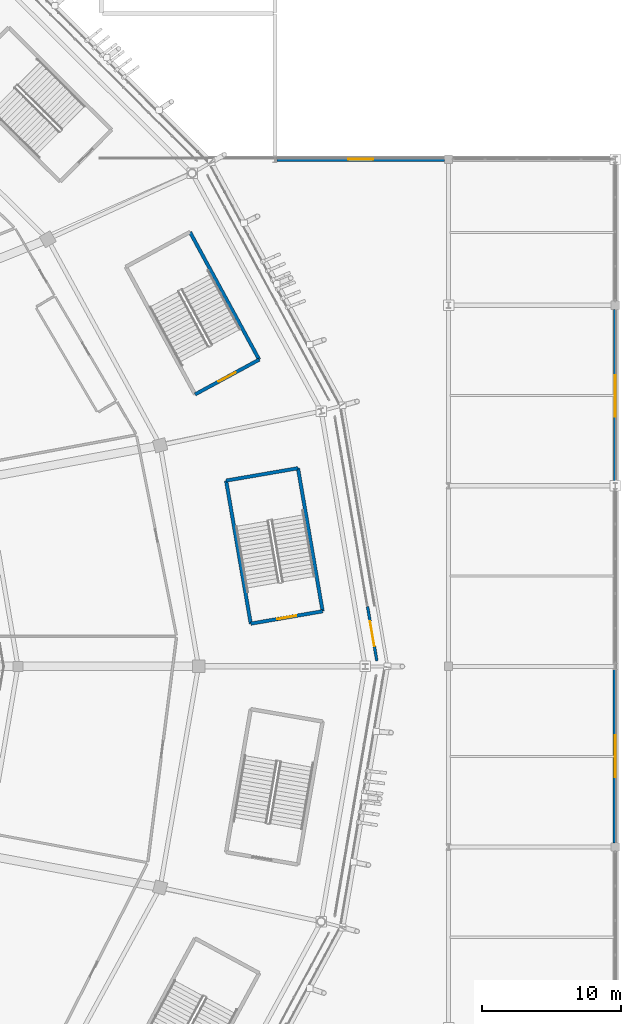
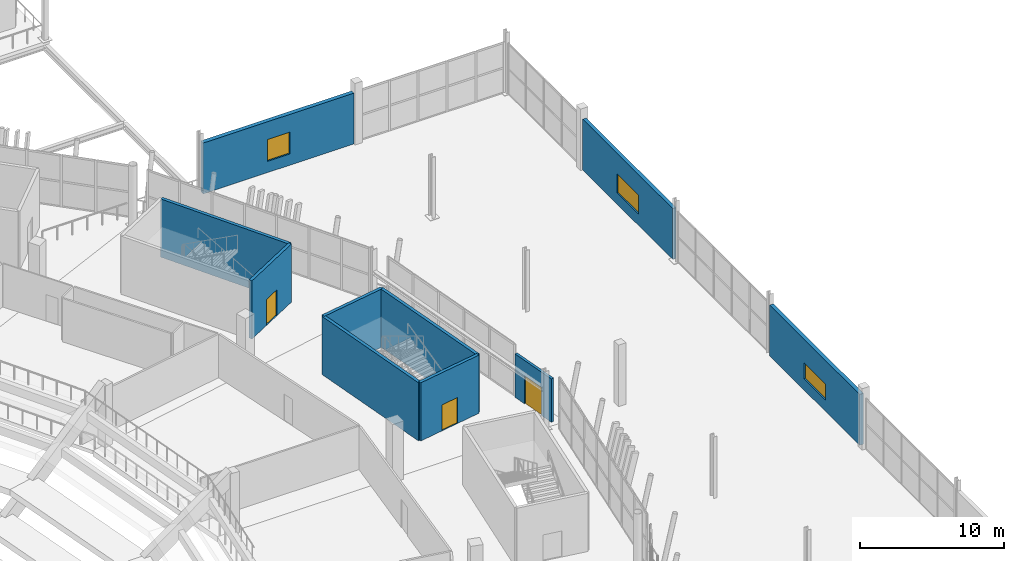
# One storey, part 129 of 178: 10 walls, 3 doors, 3 windows, 6 openings.
"""IFC4 building model written with IfcOpenShell, lengths in metres."""

from ifc_helpers import new_model, si_unit, direction, frame, frame_2d, origin, place, context, subcontext, project, spatial, rectangle, extrude, material, layer, layer_set, type_object, element, fill, save


model = new_model("IFC4")

# Units and contexts
model_context = context("Model", 3, precision=1e-05, world=origin(), true_north=direction((0.0, 1.0)))
body_context = subcontext(model_context, "Body", "Model", "MODEL_VIEW")
ifc_project = project(units=[si_unit("LENGTHUNIT", "METRE"), si_unit("AREAUNIT", "SQUARE_METRE"), si_unit("VOLUMEUNIT", "CUBIC_METRE"), si_unit("PLANEANGLEUNIT", "RADIAN"), si_unit("MASSUNIT", "GRAM", prefix="KILO")], contexts=[model_context])

# Site, building, storey
site_placement = place(None, origin())
site = spatial("IfcSite", under=ifc_project, at=site_placement, CompositionType="ELEMENT")
building_placement = place(site_placement, origin())
building = spatial("IfcBuilding", under=site, at=building_placement, Name="Zlatoyarsky Gate Stadium", CompositionType="ELEMENT")
storey_placement = place(building_placement, frame((0.0, 0.0, 5.39990234375)))
storey = spatial("IfcBuildingStorey", under=building, at=storey_placement, Name="L01", CompositionType="ELEMENT", Elevation=5.39990234375)

# Wall, opening, door
ifc_material_1 = material(Name="Gypsum-clad mineral wool fire partition", Category="gypsum")
ifc_layer_1 = layer(ifc_material_1, 0.199951171875)
ifc_layer_set_1 = layer_set([ifc_layer_1], Name="Gypsum-clad mineral wool fire partition")
wall_type_1 = type_object("IfcWallType", Name="COMPARTMENT FIRE PARTITION WALL 200", PredefinedType="PARTITIONING", material=ifc_layer_set_1)
wall_1_placement = place(storey_placement, frame((204.83984375, 80.399169921875, 0.0), z_axis=(0.0, 0.0, 1.0), x_axis=(-0.169425836606, 0.985542939648, 0.0)))
wall_1 = element("IfcWall", 1, at=wall_1_placement, inside=storey, type_object=wall_type_1, Name="L01 interior partition PRT-PORTAL-L01-00", PredefinedType="PARTITIONING", context=body_context, shape_type="SweptSolid", body=[
    extrude(rectangle(XDim=3.959716796875, YDim=0.199951171875, at=frame_2d((1.97998046875, 0.0))), origin(), (0.0, 0.0, 1.0), 3.670166015625),
])
opening_1_placement = place(wall_1_placement, frame((1.06982421875, 0.0, 0.0)))
opening_1 = element("IfcOpeningElement", 2, at=opening_1_placement, cuts=wall_1, Name="Opening D-L01-709", PredefinedType="OPENING", context=body_context, shape_type="SweptSolid", body=[
    extrude(rectangle(XDim=1.820068359375, YDim=2.3798828125, at=frame_2d((0.91015625, 1.18994140625))), frame((0.0, 0.10986328125, 0.0), z_axis=(0.0, -1.0, 0.0), x_axis=(1.0, 0.0, 0.0)), (0.0, 0.0, 1.0), 0.219970703125),
])
ifc_material_2 = material(Name="Powder-coated steel fire door", Category="steel")
door_type_1 = type_object("IfcDoorType", Name="ACOUSTIC INTERIOR DOOR 1820X2380", OperationType="NOTDEFINED", PredefinedType="DOOR", material=ifc_material_2)
door_1_placement = place(opening_1_placement, origin())
door_1 = element("IfcDoor", 3, at=door_1_placement, inside=storey, type_object=door_type_1, Name="L01 room door D-L01-709", OperationType="SINGLE_SWING_LEFT", OverallHeight=2.3798828125, OverallWidth=1.820068359375, PredefinedType="DOOR", context=body_context, shape_type="SweptSolid", body=[
    extrude(rectangle(XDim=1.820068359375, YDim=2.3798828125, at=frame_2d((0.91015625, 1.18994140625))), frame((0.0, 0.02490234375, 0.0), z_axis=(0.0, -1.0, 0.0), x_axis=(1.0, 0.0, 0.0)), (0.0, 0.0, 1.0), 0.050048828125),
])
fill(opening_1, door_1)

ifc_material_3 = material(Name="Concrete C40/50", Category="concrete")
ifc_layer_2 = layer(ifc_material_3, 0.25)
ifc_layer_set_2 = layer_set([ifc_layer_2], Name="Concrete C40/50")
wall_type_2 = type_object("IfcWallType", Name="CONCRETE STAIR CORE SHEAR WALL 250", PredefinedType="SHEAR", material=ifc_layer_set_2)
wall_2_placement = place(storey_placement, frame((195.762451171875, 83.07666015625, 0.0), z_axis=(0.0, 0.0, 1.0), x_axis=(0.985457162135, 0.16992404655, 0.0)))
wall_2 = element("IfcWall", 4, at=wall_2_placement, inside=storey, type_object=wall_type_2, Name="ST-01 L01 stair core entrance shear wall", PredefinedType="SHEAR", context=body_context, shape_type="SweptSolid", body=[
    extrude(rectangle(XDim=5.25, YDim=0.25, at=frame_2d((2.625, 0.0))), origin(), (0.0, 0.0, 1.0), 4.920166015625),
])
opening_2_placement = place(wall_2_placement, frame((1.925048828125, 0.0, 0.0)))
opening_2 = element("IfcOpeningElement", 5, at=opening_2_placement, cuts=wall_2, Name="Opening SD-ST-01-L01", PredefinedType="OPENING", context=body_context, shape_type="SweptSolid", body=[
    extrude(rectangle(XDim=1.39990234375, YDim=2.199951171875, at=frame_2d((0.699951171875, 1.10009765625))), frame((0.0, 0.135009765625, 0.0), z_axis=(0.0, -1.0, 0.0), x_axis=(1.0, 0.0, 0.0)), (0.0, 0.0, 1.0), 0.27001953125),
])
door_type_2 = type_object("IfcDoorType", Name="STAIR CORE FIRE EXIT DOOR 1400X2200", OperationType="NOTDEFINED", PredefinedType="DOOR", material=ifc_material_2)
door_2_placement = place(opening_2_placement, frame((1.39990234375, 0.0, 0.0), z_axis=(0.0, 0.0, 1.0), x_axis=(-1.0, 0.0, 0.0)))
door_2 = element("IfcDoor", 6, at=door_2_placement, inside=storey, type_object=door_type_2, Name="ST-01 L01 stair fire door", OperationType="SINGLE_SWING_LEFT", OverallHeight=2.199951171875, OverallWidth=1.39990234375, PredefinedType="DOOR", context=body_context, shape_type="SweptSolid", body=[
    extrude(rectangle(XDim=1.39990234375, YDim=2.199951171875, at=frame_2d((0.699951171875, 1.10009765625))), frame((0.0, 0.02490234375, 0.0), z_axis=(0.0, -1.0, 0.0), x_axis=(1.0, 0.0, 0.0)), (0.0, 0.0, 1.0), 0.050048828125),
])
fill(opening_2, door_2)

# Walls
wall_3_placement = place(storey_placement, frame((200.93603515625, 83.96875, 0.0), z_axis=(0.0, 0.0, 1.0), x_axis=(-0.169938992676, 0.985454584833, 0.0)))
element("IfcWall", 7, at=wall_3_placement, inside=storey, type_object=wall_type_2, Name="ST-01 L01 stair core left shear wall", PredefinedType="SHEAR", context=body_context, shape_type="SweptSolid", body=[
    extrude(rectangle(XDim=10.4501953125, YDim=0.25, at=frame_2d((5.22509765625, 0.0))), origin(), (0.0, 0.0, 1.0), 4.920166015625),
])
wall_4_placement = place(storey_placement, frame((199.16015625, 94.266845703125, 0.0), z_axis=(0.0, 0.0, 1.0), x_axis=(-0.985457162135, -0.16992404655, 0.0)))
element("IfcWall", 8, at=wall_4_placement, inside=storey, type_object=wall_type_2, Name="ST-01 L01 stair core far shear wall", PredefinedType="SHEAR", context=body_context, shape_type="SweptSolid", body=[
    extrude(rectangle(XDim=5.25, YDim=0.25, at=frame_2d((2.625, 0.0))), origin(), (0.0, 0.0, 1.0), 4.920166015625),
])
wall_5_placement = place(storey_placement, frame((193.986572265625, 93.374755859375, 0.0), z_axis=(0.0, 0.0, 1.0), x_axis=(0.169938992676, -0.985454584833, 0.0)))
element("IfcWall", 9, at=wall_5_placement, inside=storey, type_object=wall_type_2, Name="ST-01 L01 stair core right shear wall", PredefinedType="SHEAR", context=body_context, shape_type="SweptSolid", body=[
    extrude(rectangle(XDim=10.4501953125, YDim=0.25, at=frame_2d((5.22509765625, 0.0))), origin(), (0.0, 0.0, 1.0), 4.920166015625),
])

# Wall, opening, door
wall_6_placement = place(storey_placement, frame((191.753662109375, 99.579833984375, 0.0), z_axis=(0.0, 0.0, 1.0), x_axis=(0.878961487093, 0.47689275965, 0.0)))
wall_6 = element("IfcWall", 10, at=wall_6_placement, inside=storey, type_object=wall_type_2, Name="ST-13 L01 stair core entrance shear wall", PredefinedType="SHEAR", context=body_context, shape_type="SweptSolid", body=[
    extrude(rectangle(XDim=5.25, YDim=0.25, at=frame_2d((2.625, 0.0))), origin(), (0.0, 0.0, 1.0), 4.920166015625),
])
opening_3_placement = place(wall_6_placement, frame((1.925048828125, 0.0, 0.0)))
opening_3 = element("IfcOpeningElement", 11, at=opening_3_placement, cuts=wall_6, Name="Opening SD-ST-13-L01", PredefinedType="OPENING", context=body_context, shape_type="SweptSolid", body=[
    extrude(rectangle(XDim=1.39990234375, YDim=2.199951171875, at=frame_2d((0.699951171875, 1.10009765625))), frame((0.0, 0.135009765625, 0.0), z_axis=(0.0, -1.0, 0.0), x_axis=(1.0, 0.0, 0.0)), (0.0, 0.0, 1.0), 0.27001953125),
])
door_3_placement = place(opening_3_placement, frame((1.39990234375, 0.0, 0.0), z_axis=(0.0, 0.0, 1.0), x_axis=(-1.0, 0.0, 0.0)))
door_3 = element("IfcDoor", 12, at=door_3_placement, inside=storey, type_object=door_type_2, Name="ST-13 L01 stair fire door", OperationType="SINGLE_SWING_LEFT", OverallHeight=2.199951171875, OverallWidth=1.39990234375, PredefinedType="DOOR", context=body_context, shape_type="SweptSolid", body=[
    extrude(rectangle(XDim=1.39990234375, YDim=2.199951171875, at=frame_2d((0.699951171875, 1.10009765625))), frame((0.0, 0.02490234375, 0.0), z_axis=(0.0, -1.0, 0.0), x_axis=(1.0, 0.0, 0.0)), (0.0, 0.0, 1.0), 0.050048828125),
])
fill(opening_3, door_3)

# Wall
wall_7_placement = place(storey_placement, frame((196.3681640625, 102.08349609375, 0.0), z_axis=(0.0, 0.0, 1.0), x_axis=(-0.476876856974, 0.878970115125, 0.0)))
element("IfcWall", 13, at=wall_7_placement, inside=storey, type_object=wall_type_2, Name="ST-13 L01 stair core left shear wall", PredefinedType="SHEAR", context=body_context, shape_type="SweptSolid", body=[
    extrude(rectangle(XDim=10.4501953125, YDim=0.25, at=frame_2d((5.22509765625, 0.0))), origin(), (0.0, 0.0, 1.0), 4.920166015625),
])

# Wall, opening, window
ifc_material_4 = material(Name="Limestone-faced insulated masonry wall", Category="masonry")
ifc_layer_3 = layer(ifc_material_4, 0.300048828125)
ifc_layer_set_3 = layer_set([ifc_layer_3], Name="Limestone-faced insulated masonry wall")
wall_type_3 = type_object("IfcWallType", Name="INSULATED PAVILION FACADE WALL 300", PredefinedType="STANDARD", material=ifc_layer_set_3)
wall_8_placement = place(storey_placement, frame((222.0, 67.297119140625, 0.0), z_axis=(0.0, 0.0, 1.0), x_axis=(0.0, 1.0, 0.0)))
wall_8 = element("IfcWall", 14, at=wall_8_placement, inside=storey, type_object=wall_type_3, Name="V5_EAST L01 E_LO exterior wall", PredefinedType="STANDARD", context=body_context, shape_type="SweptSolid", body=[
    extrude(rectangle(XDim=12.48095703125, YDim=0.300048828125, at=frame_2d((6.240478515625, 0.0))), origin(), (0.0, 0.0, 1.0), 4.300048828125),
])
opening_4_placement = place(wall_8_placement, frame((4.740478515625, 0.0, 0.949951171875)))
opening_4 = element("IfcOpeningElement", 15, at=opening_4_placement, cuts=wall_8, Name="Opening WN-25", PredefinedType="OPENING", context=body_context, shape_type="SweptSolid", body=[
    extrude(rectangle(XDim=3.0, YDim=1.35009765625, at=frame_2d((1.5, 0.675048828125))), frame((0.0, 0.159912109375, 0.0), z_axis=(0.0, -1.0, 0.0), x_axis=(1.0, 0.0, 0.0)), (0.0, 0.0, 1.0), 0.320068359375),
])
ifc_material_5 = material(Name="Triple-glazed thermally broken aluminium window", Category="aluminium")
window_type_1 = type_object("IfcWindowType", Name="TRIPLE GLAZED ALUMINIUM WINDOW 3000X1350", PartitioningType="SINGLE_PANEL", PredefinedType="WINDOW", material=ifc_material_5)
window_1_placement = place(opening_4_placement, origin())
window_1 = element("IfcWindow", 16, at=window_1_placement, inside=storey, type_object=window_type_1, Name="Exterior window WIN-L01-053", OverallHeight=1.35009765625, OverallWidth=3.0, PartitioningType="SINGLE_PANEL", PredefinedType="WINDOW", context=body_context, shape_type="SweptSolid", body=[
    extrude(rectangle(XDim=3.0, YDim=1.35009765625, at=frame_2d((1.5, 0.675048828125))), frame((0.0, 0.030029296875, 0.0), z_axis=(0.0, -1.0, 0.0), x_axis=(1.0, 0.0, 0.0)), (0.0, 0.0, 1.0), 0.06005859375),
])
fill(opening_4, window_1)

ifc_material_6 = material(Name="Precast concrete C40/50 architectural panel", Category="concrete")
ifc_layer_4 = layer(ifc_material_6, 0.280029296875)
ifc_layer_set_4 = layer_set([ifc_layer_4], Name="Precast concrete C40/50 architectural panel")
wall_type_4 = type_object("IfcWallType", Name="INSULATED WING SPANDREL WALL 280", PredefinedType="STANDARD", material=ifc_layer_set_4)
wall_9_placement = place(storey_placement, frame((222.0, 93.221923828125, 0.0), z_axis=(0.0, 0.0, 1.0), x_axis=(0.0, 1.0, 0.0)))
wall_9 = element("IfcWall", 17, at=wall_9_placement, inside=storey, type_object=wall_type_4, Name="V5_EAST L01 E_LO exterior wall", PredefinedType="STANDARD", context=body_context, shape_type="SweptSolid", body=[
    extrude(rectangle(XDim=12.48095703125, YDim=0.280029296875, at=frame_2d((6.240478515625, 0.0))), origin(), (0.0, 0.0, 1.0), 4.300048828125),
])
opening_5_placement = place(wall_9_placement, frame((4.740478515625, 0.0, 0.949951171875)))
opening_5 = element("IfcOpeningElement", 18, at=opening_5_placement, cuts=wall_9, Name="Opening WN-26", PredefinedType="OPENING", context=body_context, shape_type="SweptSolid", body=[
    extrude(rectangle(XDim=3.0, YDim=1.60009765625, at=frame_2d((1.5, 0.800048828125))), frame((0.0, 0.14990234375, 0.0), z_axis=(0.0, -1.0, 0.0), x_axis=(1.0, 0.0, 0.0)), (0.0, 0.0, 1.0), 0.300048828125),
])
window_type_2 = type_object("IfcWindowType", Name="TRIPLE GLAZED ALUMINIUM WINDOW 3000X1600", PartitioningType="SINGLE_PANEL", PredefinedType="WINDOW", material=ifc_material_5)
window_2_placement = place(opening_5_placement, origin())
window_2 = element("IfcWindow", 19, at=window_2_placement, inside=storey, type_object=window_type_2, Name="Exterior window WIN-L01-054", OverallHeight=1.60009765625, OverallWidth=3.0, PartitioningType="SINGLE_PANEL", PredefinedType="WINDOW", context=body_context, shape_type="SweptSolid", body=[
    extrude(rectangle(XDim=3.0, YDim=1.60009765625, at=frame_2d((1.5, 0.800048828125))), frame((0.0, 0.030029296875, 0.0), z_axis=(0.0, -1.0, 0.0), x_axis=(1.0, 0.0, 0.0)), (0.0, 0.0, 1.0), 0.06005859375),
])
fill(opening_5, window_2)

ifc_layer_5 = layer(ifc_material_6, 0.320068359375)
ifc_layer_set_5 = layer_set([ifc_layer_5], Name="Precast concrete C40/50 architectural panel")
wall_type_5 = type_object("IfcWallType", Name="PRECAST TERRACOTTA FACADE WALL 320", PredefinedType="STANDARD", material=ifc_layer_set_5)
wall_10_placement = place(storey_placement, frame((197.64697265625, 116.5, 0.0), z_axis=(0.0, 0.0, 1.0), x_axis=(1.0, 0.0, 0.0)))
wall_10 = element("IfcWall", 20, at=wall_10_placement, inside=storey, type_object=wall_type_5, Name="V5_EAST L01 N exterior wall", PredefinedType="STANDARD", context=body_context, shape_type="SweptSolid", body=[
    extrude(rectangle(XDim=12.055908203125, YDim=0.320068359375, at=frame_2d((6.02783203125, 0.0))), origin(), (0.0, 0.0, 1.0), 4.300048828125),
])
opening_6_placement = place(wall_10_placement, frame((5.1279296875, 0.0, 0.949951171875)))
opening_6 = element("IfcOpeningElement", 21, at=opening_6_placement, cuts=wall_10, Name="Opening WN-11", PredefinedType="OPENING", context=body_context, shape_type="SweptSolid", body=[
    extrude(rectangle(XDim=1.800048828125, YDim=1.85009765625, at=frame_2d((0.89990234375, 0.925048828125))), frame((0.0, 0.169921875, 0.0), z_axis=(0.0, -1.0, 0.0), x_axis=(1.0, 0.0, 0.0)), (0.0, 0.0, 1.0), 0.340087890625),
])
window_type_3 = type_object("IfcWindowType", Name="TRIPLE GLAZED ALUMINIUM WINDOW 1800X1850", PartitioningType="SINGLE_PANEL", PredefinedType="WINDOW", material=ifc_material_5)
window_3_placement = place(opening_6_placement, origin())
window_3 = element("IfcWindow", 22, at=window_3_placement, inside=storey, type_object=window_type_3, Name="Exterior window WIN-L01-067", OverallHeight=1.85009765625, OverallWidth=1.800048828125, PartitioningType="SINGLE_PANEL", PredefinedType="WINDOW", context=body_context, shape_type="SweptSolid", body=[
    extrude(rectangle(XDim=1.800048828125, YDim=1.85009765625, at=frame_2d((0.89990234375, 0.925048828125))), frame((0.0, 0.030029296875, 0.0), z_axis=(0.0, -1.0, 0.0), x_axis=(1.0, 0.0, 0.0)), (0.0, 0.0, 1.0), 0.06005859375),
])
fill(opening_6, window_3)

save(model, "model.ifc")
